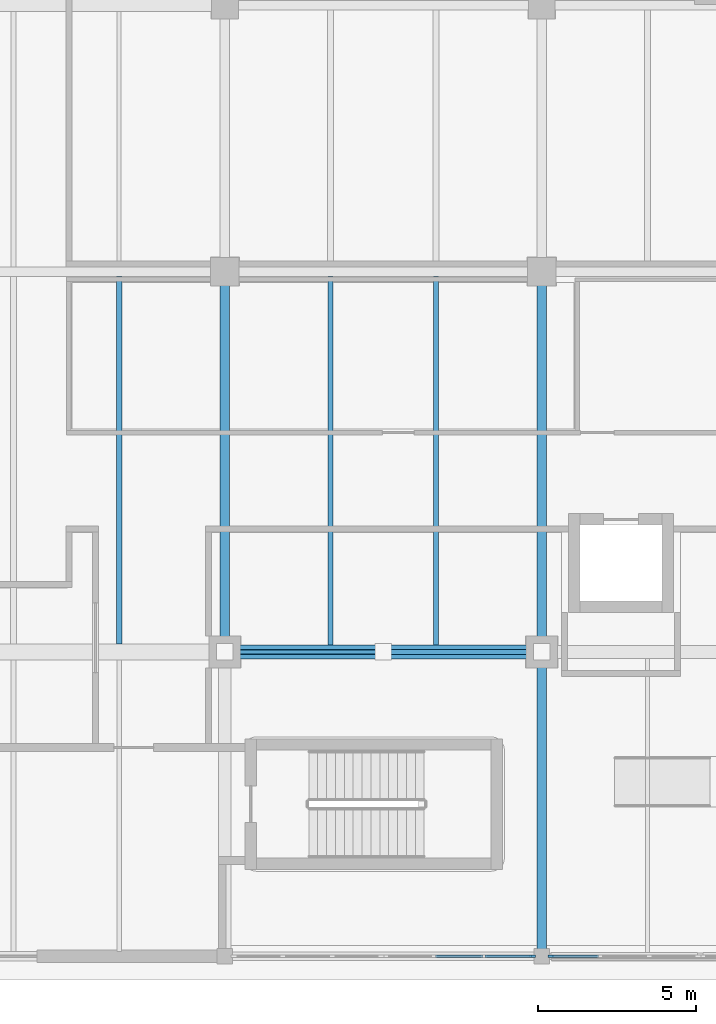
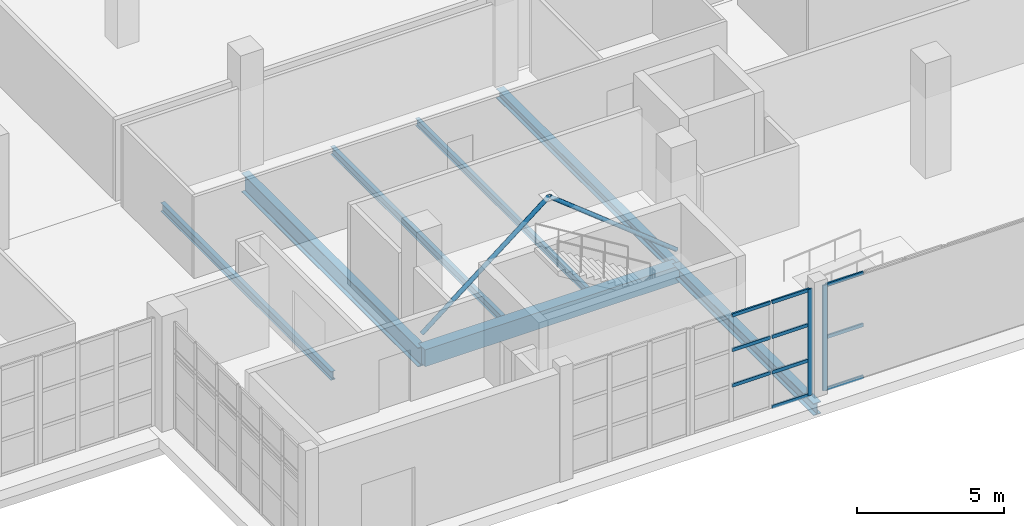
# One storey, part 33 of 121: 14 members, 7 beams, 2 elements without a shape of their own.
"""IFC4 building model written with IfcOpenShell, lengths in metres."""

import ifcopenshell
import ifcopenshell.guid

model = None  # the IFC model being written
_history = None  # IfcOwnerHistory: only IFC2X3 demands one
_inside = {}  # id of a spatial element -> (the spatial element, [elements in it])
_under = {}  # id of a project, library or spatial element -> (it, [spatial elements below it])
_declared = {}  # id of a project -> (the project, [libraries it declares])
_typed = {}  # id of a type object -> (the type object, [elements of that type])
_made_of = {}  # id of a material, layer set ... -> (it, [elements and type objects made of it])


def new_model(schema):
    """Start an empty IFC model of exactly this schema.

    Asked for "IFC4X3", IfcOpenShell would pick the latest addendum, in which some entities
    have other attributes; the version numbers below select the first issue.
    IFC2X3 requires an IfcOwnerHistory on every rooted entity: one is made here for all.
    """
    global model, _history
    if schema == "IFC4X3":
        model = ifcopenshell.file(schema_version=(4, 3, 0, 0))
    else:
        model = ifcopenshell.file(schema=schema)
    _inside.clear()
    _under.clear()
    _declared.clear()
    _typed.clear()
    _made_of.clear()
    _history = None
    if model.schema == "IFC2X3":
        org = make("IfcOrganization", Name="unknown")
        user = make(
            "IfcPersonAndOrganization",
            ThePerson=make("IfcPerson", FamilyName="unknown"),
            TheOrganization=org,
        )
        app = make(
            "IfcApplication",
            ApplicationDeveloper=org,
            Version="unknown",
            ApplicationFullName="unknown",
            ApplicationIdentifier="unknown",
        )
        _history = make(
            "IfcOwnerHistory",
            OwningUser=user,
            OwningApplication=app,
            ChangeAction="ADDED",
            CreationDate=0,
        )
    return model


def make(cls, **values):
    """One entity of the class cls with the attributes given. An attribute that is None is left unset."""
    return model.create_entity(
        cls, **{name: value for name, value in values.items() if value is not None}
    )


def rooted(cls, **values):
    """An entity with a GlobalId (a new one), such as an element, a storey or a relation."""
    return make(cls, GlobalId=ifcopenshell.guid.new(), OwnerHistory=_history, **values)


def si_unit(unit_type, name, prefix=None):
    """IfcSIUnit, for example si_unit("LENGTHUNIT", "METRE", prefix="MILLI")."""
    return make("IfcSIUnit", UnitType=unit_type, Prefix=prefix, Name=name)


def assignment(units):
    """IfcUnitAssignment: the units of a project."""
    return None if units is None else make("IfcUnitAssignment", Units=units)


def point(xyz):
    """IfcCartesianPoint."""
    return None if xyz is None else make("IfcCartesianPoint", Coordinates=xyz)


def direction(xyz):
    """IfcDirection."""
    return None if xyz is None else make("IfcDirection", DirectionRatios=xyz)


def frame(location, z_axis=None, x_axis=None):
    """IfcAxis2Placement3D, a coordinate frame: its origin and axes. An axis left out is left unset."""
    return make(
        "IfcAxis2Placement3D",
        Location=point(location),
        Axis=direction(z_axis),
        RefDirection=direction(x_axis),
    )


def frame_2d(location, x_axis=None):
    """IfcAxis2Placement2D, a coordinate frame in the plane: its origin and x axis."""
    return make(
        "IfcAxis2Placement2D", Location=point(location), RefDirection=direction(x_axis)
    )


def origin():
    """The frame at (0, 0, 0) with its axes left unset."""
    return frame((0.0, 0.0, 0.0))


def origin_2d():
    """The frame at (0, 0) in the plane with its x axis left unset."""
    return frame_2d((0.0, 0.0))


def place(relative_to, where):
    """IfcLocalPlacement: puts the frame where relative to a parent placement (None: the world)."""
    return make(
        "IfcLocalPlacement", PlacementRelTo=relative_to, RelativePlacement=where
    )


def context(
    kind, dimensions, precision=None, world=None, true_north=None, identifier=None
):
    """IfcGeometricRepresentationContext, for example the 3D "Model" context."""
    return make(
        "IfcGeometricRepresentationContext",
        ContextIdentifier=identifier,
        ContextType=kind,
        CoordinateSpaceDimension=dimensions,
        Precision=precision,
        WorldCoordinateSystem=world,
        TrueNorth=true_north,
    )


def subcontext(parent, identifier, kind, view, scale=None):
    """IfcGeometricRepresentationSubContext, for example "Body" below "Model"."""
    return make(
        "IfcGeometricRepresentationSubContext",
        ContextIdentifier=identifier,
        ContextType=kind,
        ParentContext=parent,
        TargetScale=scale,
        TargetView=view,
    )


def project(units=None, contexts=None):
    """IfcProject with its units and contexts."""
    return rooted(
        "IfcProject",
        Name="project",
        RepresentationContexts=contexts,
        UnitsInContext=assignment(units),
    )


def spatial(cls, under=None, at=None, **own):
    """A site, building, storey or space (cls), placed at a placement, below another one or the project."""
    s = rooted(cls, ObjectPlacement=at, **own)
    if under is not None:
        _under.setdefault(under.id(), (under, []))[1].append(s)
    return s


def profile(cls, at=None, kind="AREA", **sizes):
    """A parametric profile (cls). Its sizes go by their IFC names, for example OverallWidth=200.0."""
    return make(cls, ProfileType=kind, Position=at, **sizes)


def rectangle(**sizes):
    """IfcRectangleProfileDef."""
    return profile("IfcRectangleProfileDef", **sizes)


def hollow_circle(**sizes):
    """IfcCircleHollowProfileDef."""
    return profile("IfcCircleHollowProfileDef", **sizes)


def i_section(**sizes):
    """IfcIShapeProfileDef."""
    return profile("IfcIShapeProfileDef", **sizes)


def extrude(swept, where, along, depth):
    """IfcExtrudedAreaSolid: the profile swept, set in the frame where, extruded along a direction by depth."""
    return make(
        "IfcExtrudedAreaSolid",
        SweptArea=swept,
        Position=where,
        ExtrudedDirection=direction(along),
        Depth=depth,
    )


def shape(context_of_items, identifier, shape_type, items):
    """IfcShapeRepresentation: the items that make up one representation, for example the "Body"."""
    return make(
        "IfcShapeRepresentation",
        ContextOfItems=context_of_items,
        RepresentationIdentifier=identifier,
        RepresentationType=shape_type,
        Items=items,
    )


def material(Name=None, Category=None):
    """IfcMaterial."""
    return make("IfcMaterial", Name=Name, Category=Category)


def layer(
    of_material, thickness, ventilated=None, Name=None, Category=None, Priority=None
):
    """IfcMaterialLayer: one layer of a wall or slab, of a material (None: an air gap)."""
    return make(
        "IfcMaterialLayer",
        Material=of_material,
        LayerThickness=thickness,
        IsVentilated=ventilated,
        Name=Name,
        Category=Category,
        Priority=Priority,
    )


def layer_set(layers, Name=None):
    """IfcMaterialLayerSet."""
    return make("IfcMaterialLayerSet", MaterialLayers=layers, LayerSetName=Name)


def material_profile(
    of_material, cross_section, Name=None, Category=None, Priority=None
):
    """IfcMaterialProfile: a cross section and its material."""
    return make(
        "IfcMaterialProfile",
        Name=Name,
        Material=of_material,
        Profile=cross_section,
        Priority=Priority,
        Category=Category,
    )


def profile_set(profiles, Name=None, composite=None):
    """IfcMaterialProfileSet."""
    return make(
        "IfcMaterialProfileSet",
        Name=Name,
        MaterialProfiles=profiles,
        CompositeProfile=composite,
    )


def made_of(thing, what):
    """Note that an element or type object is made of a material, layer set ...; save() writes the relation."""
    if what is not None:
        _made_of.setdefault(what.id(), (what, []))[1].append(thing)
    return thing


def type_object(cls, material=None, **own):
    """A type object (cls), such as IfcWallType, which elements share."""
    return made_of(rooted(cls, **own), material)


def element(
    cls,
    number,
    at=None,
    inside=None,
    cuts=None,
    type_object=None,
    material=None,
    context=None,
    identifier="Body",
    shape_type=None,
    held_by="IfcProductDefinitionShape",
    body=None,
    shapes=None,
    **own,
):
    """One element of the class cls, such as IfcWall. Its Tag is "e" and its number.

    at: its placement. inside: the storey or other place that contains it. cuts: it is an
    opening in that element (IfcRelVoidsElement). A single representation is given by context,
    identifier, shape_type and body (its items); several are given by shapes. held_by: the class
    of the entity that holds the representations. save() writes the other relations.
    """
    e = rooted(cls, Tag="e%d" % number, ObjectPlacement=at, **own)
    if body is not None:
        shapes = [shape(context, identifier, shape_type, body)]
    if shapes is not None:
        e.Representation = make(held_by, Representations=shapes)
    if inside is not None:
        _inside.setdefault(inside.id(), (inside, []))[1].append(e)
    if cuts is not None:
        rooted(
            "IfcRelVoidsElement", RelatingBuildingElement=cuts, RelatedOpeningElement=e
        )
    if type_object is not None:
        _typed.setdefault(type_object.id(), (type_object, []))[1].append(e)
    return made_of(e, material)


def aggregate(whole, parts):
    """IfcRelAggregates: a whole, such as a stair, and the parts it consists of."""
    return rooted("IfcRelAggregates", RelatingObject=whole, RelatedObjects=parts)


def save(model, path):
    """Write the relations noted so far, then the file.

    IfcRelAggregates (storeys below a building ...), IfcRelContainedInSpatialStructure (elements
    in a storey), IfcRelDefinesByType, IfcRelAssociatesMaterial and IfcRelDeclares: one each for
    every whole, place, type object, material and project.
    """
    for whole, parts in _under.values():
        aggregate(whole, parts)
    for where, things in _inside.values():
        rooted(
            "IfcRelContainedInSpatialStructure",
            RelatedElements=things,
            RelatingStructure=where,
        )
    for kind, things in _typed.values():
        rooted("IfcRelDefinesByType", RelatedObjects=things, RelatingType=kind)
    for what, things in _made_of.values():
        rooted("IfcRelAssociatesMaterial", RelatedObjects=things, RelatingMaterial=what)
    for by, libraries in _declared.values():
        rooted("IfcRelDeclares", RelatingContext=by, RelatedDefinitions=libraries)
    model.write(path)


model = new_model("IFC4")

# Units and contexts
model_context = context("Model", 3, precision=1e-05, world=origin(), true_north=direction((0.0, 1.0)))
body_context = subcontext(model_context, "Body", "Model", "MODEL_VIEW")
ifc_project = project(units=[si_unit("LENGTHUNIT", "METRE"), si_unit("AREAUNIT", "SQUARE_METRE"), si_unit("VOLUMEUNIT", "CUBIC_METRE"), si_unit("PLANEANGLEUNIT", "RADIAN"), si_unit("MASSUNIT", "GRAM", prefix="KILO")], contexts=[model_context])

# Site, building, storey
site_placement = place(None, origin())
site = spatial("IfcSite", under=ifc_project, at=site_placement, CompositionType="ELEMENT")
building_placement = place(site_placement, origin())
building = spatial("IfcBuilding", under=site, at=building_placement, Name="Zereglee Splitstone Museum", CompositionType="ELEMENT")
storey_placement = place(building_placement, origin())
storey = spatial("IfcBuildingStorey", under=building, at=storey_placement, Name="L00", CompositionType="ELEMENT", Elevation=0.0)

# Beam
ifc_material_1 = material(Name="Concrete C40/50", Category="concrete")
ifc_material_profile_1 = material_profile(ifc_material_1, rectangle(XDim=0.449951171875, YDim=0.699951171875, at=origin_2d()), Name="RC 450x700")
ifc_profile_set_1 = profile_set([ifc_material_profile_1], Name="Concrete C40/50")
beam_type_1 = type_object("IfcBeamType", Name="BG-03", PredefinedType="BEAM", material=ifc_profile_set_1)
beam_1_placement = place(storey_placement, frame((185.199951171875, 9.60009765625, -0.77001953125), z_axis=(1.0, 0.0, 0.0), x_axis=(0.0, 1.0, 0.0)))
element("IfcBeam", 1, at=beam_1_placement, inside=storey, type_object=beam_type_1, Name="Primary Girder L00 B (185.2-195.2)", PredefinedType="BEAM", context=body_context, shape_type="SweptSolid", body=[
    extrude(rectangle(XDim=0.449951171875, YDim=0.699951171875, at=origin_2d()), origin(), (0.0, 0.0, 1.0), 10.0),
])

# Members
ifc_material_2 = material(Name="Steel S355J2H", Category="steel")
ifc_material_profile_2 = material_profile(ifc_material_2, hollow_circle(Radius=0.084228515625, WallThickness=0.008056640625, at=origin_2d()), Name="CHS 168.3x8")
ifc_profile_set_2 = profile_set([ifc_material_profile_2], Name="Steel S355J2H")
member_type_1 = type_object("IfcMemberType", Name="TB-05", PredefinedType="BRACE", material=ifc_profile_set_2)
for number, where, z_axis, x_axis, name in (
    (2, (185.199951171875, 9.60009765625, 0.1201171875), (0.783921621613, 0.0, 0.620859799929), (0.0, 1.0, 0.0), "Lateral Braced Frame Chevron L00-015A"),
    (3, (195.199951171875, 9.60009765625, 0.1201171875), (-0.783921621613, 0.0, 0.620859799929), (0.0, -1.0, 0.0), "Lateral Braced Frame Chevron L00-015B"),
):
    element("IfcMember", number, at=place(storey_placement, frame(where, z_axis=z_axis, x_axis=x_axis)), inside=storey, type_object=member_type_1, Name=name, PredefinedType="BRACE", context=body_context, shape_type="SweptSolid", body=[
        extrude(hollow_circle(Radius=0.084228515625, WallThickness=0.008056640625, at=origin_2d()), origin(), (0.0, 0.0, 1.0), 6.378173828125),
    ])

# Curtain wall, member
ifc_material_3 = material(Name="Triple-glazed low-E argon glass and bronze-anodised aluminium", Category="aluminium")
ifc_layer_1 = layer(ifc_material_3, 0.179931640625)
ifc_layer_set_1 = layer_set([ifc_layer_1], Name="Triple-glazed low-E argon glass and bronze-anodised aluminium")
curtain_wall_type_1 = type_object("IfcCurtainWallType", Name="CW-0470-442", PredefinedType="USERDEFINED", material=ifc_layer_set_1)
curtain_wall_1_placement = place(storey_placement, origin())
curtain_wall_1 = element("IfcCurtainWall", 4, at=curtain_wall_1_placement, inside=storey, type_object=curtain_wall_type_1, Name="Glazed Curtain Wall CW-0470-442 (L00)", ObjectType="GLAZED CURTAIN WALL", PredefinedType="USERDEFINED")
ifc_material_4 = material(Name="Thermally broken bronze-anodised aluminium", Category="aluminium")
ifc_material_profile_3 = material_profile(ifc_material_4, rectangle(XDim=0.06494140625, YDim=0.179931640625, at=origin_2d()), Name="CW MULL 65x180")
ifc_profile_set_3 = profile_set([ifc_material_profile_3], Name="Thermally broken bronze-anodised aluminium")
member_type_2 = type_object("IfcMemberType", Name="CWM-01", PredefinedType="MULLION", material=ifc_profile_set_3)
member_1_placement = place(storey_placement, frame((194.909423828125, 0.0, 0.0), z_axis=(0.0, 0.0, 1.0), x_axis=(0.0, 1.0, 0.0)))
member_1 = element("IfcMember", 5, at=member_1_placement, type_object=member_type_2, Name="CW-0470-442 mullion 4", PredefinedType="MULLION", context=body_context, shape_type="SweptSolid", body=[
    extrude(rectangle(XDim=0.06494140625, YDim=0.179931640625, at=origin_2d()), origin(), (0.0, 0.0, 1.0), 4.419921875),
])

ifc_layer_2 = layer(ifc_material_3, 0.179931640625)
ifc_layer_set_2 = layer_set([ifc_layer_2], Name="Triple-glazed low-E argon glass and bronze-anodised aluminium")
curtain_wall_type_2 = type_object("IfcCurtainWallType", Name="CW-0470-438", PredefinedType="USERDEFINED", material=ifc_layer_set_2)
curtain_wall_2_placement = place(storey_placement, origin())
curtain_wall_2 = element("IfcCurtainWall", 6, at=curtain_wall_2_placement, inside=storey, type_object=curtain_wall_type_2, Name="Glazed Curtain Wall CW-0470-438 (L00)", ObjectType="GLAZED CURTAIN WALL", PredefinedType="USERDEFINED")
member_2_placement = place(storey_placement, frame((195.490478515625, 0.0, 0.0), z_axis=(0.0, 0.0, 1.0), x_axis=(0.0, 1.0, 0.0)))
member_2 = element("IfcMember", 7, at=member_2_placement, type_object=member_type_2, Name="CW-0470-438 mullion 1", PredefinedType="MULLION", context=body_context, shape_type="SweptSolid", body=[
    extrude(rectangle(XDim=0.06494140625, YDim=0.179931640625, at=origin_2d()), origin(), (0.0, 0.0, 1.0), 4.3798828125),
])

# Member
ifc_material_profile_4 = material_profile(ifc_material_4, rectangle(XDim=0.06494140625, YDim=0.139892578125, at=origin_2d()), Name="CW TRAN 65x140")
ifc_profile_set_4 = profile_set([ifc_material_profile_4], Name="Thermally broken bronze-anodised aluminium")
member_type_3 = type_object("IfcMemberType", Name="CWT-01", PredefinedType="USERDEFINED", material=ifc_profile_set_4)
member_3_placement = place(storey_placement, frame((191.83984375, 0.0, 1.473388671875), z_axis=(1.0, 0.0, 0.0), x_axis=(0.0, 1.0, 0.0)))
member_3 = element("IfcMember", 8, at=member_3_placement, type_object=member_type_3, Name="CW-0470-442 transom 2.2", ObjectType="TRANSOM", PredefinedType="USERDEFINED", context=body_context, shape_type="SweptSolid", body=[
    extrude(rectangle(XDim=0.06494140625, YDim=0.139892578125, at=origin_2d()), origin(), (0.0, 0.0, 1.0), 1.50244140625),
])

member_4_placement = place(storey_placement, frame((191.83984375, 0.0, 2.94677734375), z_axis=(1.0, 0.0, 0.0), x_axis=(0.0, 1.0, 0.0)))
member_4 = element("IfcMember", 9, at=member_4_placement, type_object=member_type_3, Name="CW-0470-442 transom 2.3", ObjectType="TRANSOM", PredefinedType="USERDEFINED", context=body_context, shape_type="SweptSolid", body=[
    extrude(rectangle(XDim=0.06494140625, YDim=0.139892578125, at=origin_2d()), origin(), (0.0, 0.0, 1.0), 1.50244140625),
])

member_5_placement = place(storey_placement, frame((191.83984375, 0.0, 4.387451171875), z_axis=(1.0, 0.0, 0.0), x_axis=(0.0, 1.0, 0.0)))
member_5 = element("IfcMember", 10, at=member_5_placement, type_object=member_type_3, Name="CW-0470-442 transom 2.4", ObjectType="TRANSOM", PredefinedType="USERDEFINED", context=body_context, shape_type="SweptSolid", body=[
    extrude(rectangle(XDim=0.06494140625, YDim=0.139892578125, at=origin_2d()), origin(), (0.0, 0.0, 1.0), 1.50244140625),
])

member_6_placement = place(storey_placement, frame((193.4072265625, 0.0, 0.032470703125), z_axis=(1.0, 0.0, 0.0), x_axis=(0.0, 1.0, 0.0)))
member_6 = element("IfcMember", 11, at=member_6_placement, type_object=member_type_3, Name="CW-0470-442 transom 3.1", ObjectType="TRANSOM", PredefinedType="USERDEFINED", context=body_context, shape_type="SweptSolid", body=[
    extrude(rectangle(XDim=0.06494140625, YDim=0.139892578125, at=origin_2d()), origin(), (0.0, 0.0, 1.0), 1.4697265625),
])

member_7_placement = place(storey_placement, frame((193.4072265625, 0.0, 1.473388671875), z_axis=(1.0, 0.0, 0.0), x_axis=(0.0, 1.0, 0.0)))
member_7 = element("IfcMember", 12, at=member_7_placement, type_object=member_type_3, Name="CW-0470-442 transom 3.2", ObjectType="TRANSOM", PredefinedType="USERDEFINED", context=body_context, shape_type="SweptSolid", body=[
    extrude(rectangle(XDim=0.06494140625, YDim=0.139892578125, at=origin_2d()), origin(), (0.0, 0.0, 1.0), 1.4697265625),
])

member_8_placement = place(storey_placement, frame((193.4072265625, 0.0, 2.94677734375), z_axis=(1.0, 0.0, 0.0), x_axis=(0.0, 1.0, 0.0)))
member_8 = element("IfcMember", 13, at=member_8_placement, type_object=member_type_3, Name="CW-0470-442 transom 3.3", ObjectType="TRANSOM", PredefinedType="USERDEFINED", context=body_context, shape_type="SweptSolid", body=[
    extrude(rectangle(XDim=0.06494140625, YDim=0.139892578125, at=origin_2d()), origin(), (0.0, 0.0, 1.0), 1.4697265625),
])

member_9_placement = place(storey_placement, frame((193.4072265625, 0.0, 4.387451171875), z_axis=(1.0, 0.0, 0.0), x_axis=(0.0, 1.0, 0.0)))
member_9 = element("IfcMember", 14, at=member_9_placement, type_object=member_type_3, Name="CW-0470-442 transom 3.4", ObjectType="TRANSOM", PredefinedType="USERDEFINED", context=body_context, shape_type="SweptSolid", body=[
    extrude(rectangle(XDim=0.06494140625, YDim=0.139892578125, at=origin_2d()), origin(), (0.0, 0.0, 1.0), 1.4697265625),
])

aggregate(curtain_wall_1, [member_1, member_3, member_4, member_5, member_6, member_7, member_8, member_9])

member_10_placement = place(storey_placement, frame((195.52294921875, 0.0, 0.032470703125), z_axis=(1.0, 0.0, 0.0), x_axis=(0.0, 1.0, 0.0)))
member_10 = element("IfcMember", 15, at=member_10_placement, type_object=member_type_3, Name="CW-0470-438 transom 1.1", ObjectType="TRANSOM", PredefinedType="USERDEFINED", context=body_context, shape_type="SweptSolid", body=[
    extrude(rectangle(XDim=0.06494140625, YDim=0.139892578125, at=origin_2d()), origin(), (0.0, 0.0, 1.0), 1.469970703125),
])

member_11_placement = place(storey_placement, frame((195.52294921875, 0.0, 2.18994140625), z_axis=(1.0, 0.0, 0.0), x_axis=(0.0, 1.0, 0.0)))
member_11 = element("IfcMember", 16, at=member_11_placement, type_object=member_type_3, Name="CW-0470-438 transom 1.2", ObjectType="TRANSOM", PredefinedType="USERDEFINED", context=body_context, shape_type="SweptSolid", body=[
    extrude(rectangle(XDim=0.06494140625, YDim=0.139892578125, at=origin_2d()), origin(), (0.0, 0.0, 1.0), 1.469970703125),
])

member_12_placement = place(storey_placement, frame((195.52294921875, 0.0, 4.347412109375), z_axis=(1.0, 0.0, 0.0), x_axis=(0.0, 1.0, 0.0)))
member_12 = element("IfcMember", 17, at=member_12_placement, type_object=member_type_3, Name="CW-0470-438 transom 1.3", ObjectType="TRANSOM", PredefinedType="USERDEFINED", context=body_context, shape_type="SweptSolid", body=[
    extrude(rectangle(XDim=0.06494140625, YDim=0.139892578125, at=origin_2d()), origin(), (0.0, 0.0, 1.0), 1.469970703125),
])

aggregate(curtain_wall_2, [member_2, member_10, member_11, member_12])

# Beams
ifc_material_5 = material(Name="Steel S355J2", Category="steel")
ifc_material_profile_5 = material_profile(ifc_material_5, i_section(OverallWidth=0.300048828125, OverallDepth=0.39990234375, WebThickness=0.013427734375, FlangeThickness=0.02392578125, FilletRadius=0.027099609375, at=origin_2d()), Name="HE 400 B")
ifc_profile_set_5 = profile_set([ifc_material_profile_5], Name="Steel S355J2")
beam_type_2 = type_object("IfcBeamType", Name="BG-13", PredefinedType="BEAM", material=ifc_profile_set_5)
beam_2_placement = place(storey_placement, frame((195.199951171875, 9.60009765625, -0.6201171875), z_axis=(0.0, 1.0, 0.0), x_axis=(-1.0, 0.0, 0.0)))
element("IfcBeam", 18, at=beam_2_placement, inside=storey, type_object=beam_type_2, Name="Primary Girder L00 22 (9.6-21.6)", PredefinedType="BEAM", context=body_context, shape_type="SweptSolid", body=[
    extrude(i_section(OverallWidth=0.300048828125, OverallDepth=0.39990234375, WebThickness=0.013427734375, FlangeThickness=0.02392578125, FilletRadius=0.027099609375, at=origin_2d()), origin(), (0.0, 0.0, 1.0), 12.0),
])
ifc_material_profile_6 = material_profile(ifc_material_5, i_section(OverallWidth=0.300048828125, OverallDepth=0.5, WebThickness=0.014404296875, FlangeThickness=0.028076171875, FilletRadius=0.027099609375, at=origin_2d()), Name="HE 500 B")
ifc_profile_set_6 = profile_set([ifc_material_profile_6], Name="Steel S355J2")
beam_type_3 = type_object("IfcBeamType", Name="BG-12", PredefinedType="BEAM", material=ifc_profile_set_6)
beam_3_placement = place(storey_placement, frame((195.199951171875, 0.0, -0.669921875), z_axis=(0.0, 1.0, 0.0), x_axis=(-1.0, 0.0, 0.0)))
element("IfcBeam", 19, at=beam_3_placement, inside=storey, type_object=beam_type_3, Name="Primary Girder L00 22 (0.0-9.6)", PredefinedType="BEAM", context=body_context, shape_type="SweptSolid", body=[
    extrude(i_section(OverallWidth=0.300048828125, OverallDepth=0.5, WebThickness=0.014404296875, FlangeThickness=0.028076171875, FilletRadius=0.027099609375, at=origin_2d()), origin(), (0.0, 0.0, 1.0), 9.60009765625),
])
ifc_material_profile_7 = material_profile(ifc_material_5, i_section(OverallWidth=0.300048828125, OverallDepth=0.800048828125, WebThickness=0.017578125, FlangeThickness=0.032958984375, FilletRadius=0.030029296875, at=origin_2d()), Name="HE 800 B")
ifc_profile_set_7 = profile_set([ifc_material_profile_7], Name="Steel S355J2")
beam_type_4 = type_object("IfcBeamType", Name="BG-07", PredefinedType="BEAM", material=ifc_profile_set_7)
beam_4_placement = place(storey_placement, frame((185.199951171875, 9.60009765625, -0.820068359375), z_axis=(0.0, 1.0, 0.0), x_axis=(-1.0, 0.0, 0.0)))
element("IfcBeam", 20, at=beam_4_placement, inside=storey, type_object=beam_type_4, Name="Primary Girder L00 21 (9.6-21.6)", PredefinedType="BEAM", context=body_context, shape_type="SweptSolid", body=[
    extrude(i_section(OverallWidth=0.300048828125, OverallDepth=0.800048828125, WebThickness=0.017578125, FlangeThickness=0.032958984375, FilletRadius=0.030029296875, at=origin_2d()), origin(), (0.0, 0.0, 1.0), 12.0),
])
ifc_material_profile_8 = material_profile(ifc_material_5, i_section(OverallWidth=0.14990234375, OverallDepth=0.300048828125, WebThickness=0.007080078125, FlangeThickness=0.0107421875, FilletRadius=0.014892578125, at=origin_2d()), Name="IPE 300")
ifc_profile_set_8 = profile_set([ifc_material_profile_8], Name="Steel S355J2")
beam_type_5 = type_object("IfcBeamType", Name="BJ-06", PredefinedType="JOIST", material=ifc_profile_set_8)
beam_5_placement = place(storey_placement, frame((191.86669921875, 9.824951171875, -0.570068359375), z_axis=(0.0, 1.0, 0.0), x_axis=(-1.0, 0.0, 0.0)))
element("IfcBeam", 21, at=beam_5_placement, inside=storey, type_object=beam_type_5, Name="Secondary Floor Joist L00-0299", PredefinedType="JOIST", context=body_context, shape_type="SweptSolid", body=[
    extrude(i_section(OverallWidth=0.14990234375, OverallDepth=0.300048828125, WebThickness=0.007080078125, FlangeThickness=0.0107421875, FilletRadius=0.014892578125, at=origin_2d()), origin(), (0.0, 0.0, 1.0), 11.625),
])
ifc_material_profile_9 = material_profile(ifc_material_5, i_section(OverallWidth=0.159912109375, OverallDepth=0.330078125, WebThickness=0.007568359375, FlangeThickness=0.011474609375, FilletRadius=0.01806640625, at=origin_2d()), Name="IPE 330")
ifc_profile_set_9 = profile_set([ifc_material_profile_9], Name="Steel S355J2")
beam_type_6 = type_object("IfcBeamType", Name="BJ-05", PredefinedType="JOIST", material=ifc_profile_set_9)
beam_6_placement = place(storey_placement, frame((188.533203125, 9.824951171875, -0.5849609375), z_axis=(0.0, 1.0, 0.0), x_axis=(-1.0, 0.0, 0.0)))
element("IfcBeam", 22, at=beam_6_placement, inside=storey, type_object=beam_type_6, Name="Secondary Floor Joist L00-0298", PredefinedType="JOIST", context=body_context, shape_type="SweptSolid", body=[
    extrude(i_section(OverallWidth=0.159912109375, OverallDepth=0.330078125, WebThickness=0.007568359375, FlangeThickness=0.011474609375, FilletRadius=0.01806640625, at=origin_2d()), origin(), (0.0, 0.0, 1.0), 11.625),
])
ifc_material_profile_10 = material_profile(ifc_material_5, i_section(OverallWidth=0.169921875, OverallDepth=0.360107421875, WebThickness=0.008056640625, FlangeThickness=0.0126953125, FilletRadius=0.01806640625, at=origin_2d()), Name="IPE 360")
ifc_profile_set_10 = profile_set([ifc_material_profile_10], Name="Steel S355J2")
beam_type_7 = type_object("IfcBeamType", Name="BJ-04", PredefinedType="JOIST", material=ifc_profile_set_10)
beam_7_placement = place(storey_placement, frame((181.86669921875, 9.85009765625, -0.60009765625), z_axis=(0.0, 1.0, 0.0), x_axis=(-1.0, 0.0, 0.0)))
element("IfcBeam", 23, at=beam_7_placement, inside=storey, type_object=beam_type_7, Name="Secondary Floor Joist L00-0297", PredefinedType="JOIST", context=body_context, shape_type="SweptSolid", body=[
    extrude(i_section(OverallWidth=0.169921875, OverallDepth=0.360107421875, WebThickness=0.008056640625, FlangeThickness=0.0126953125, FilletRadius=0.01806640625, at=origin_2d()), origin(), (0.0, 0.0, 1.0), 11.599853515625),
])

save(model, "model.ifc")
